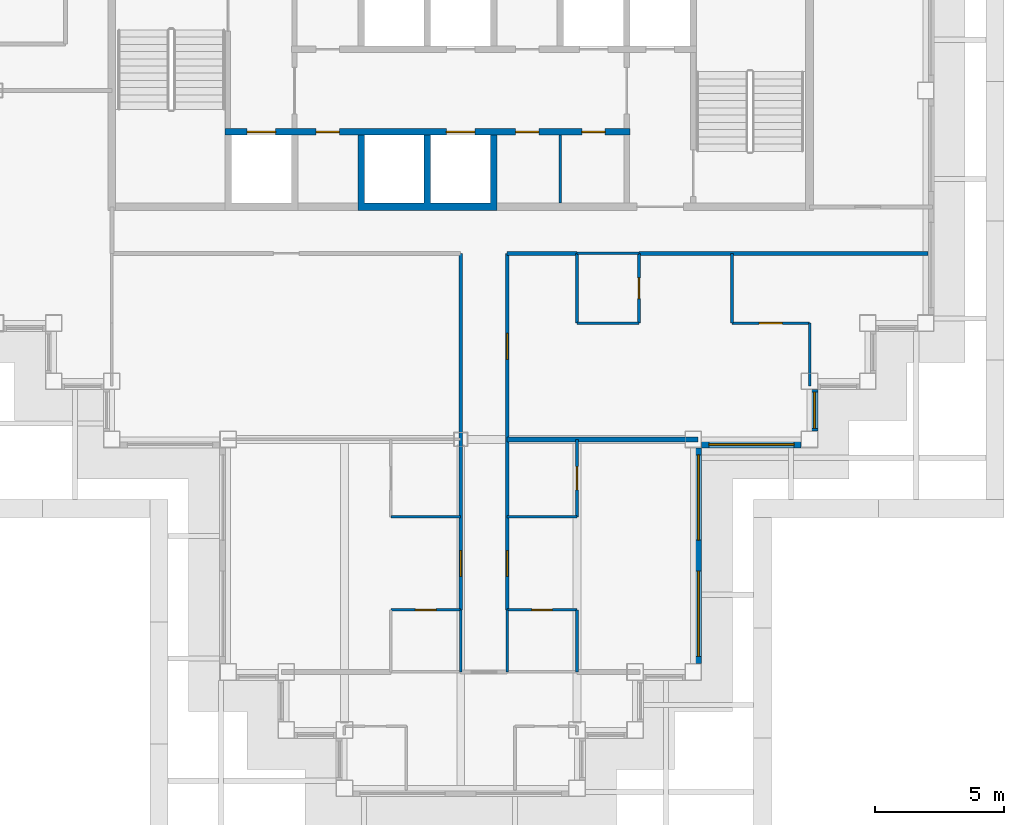
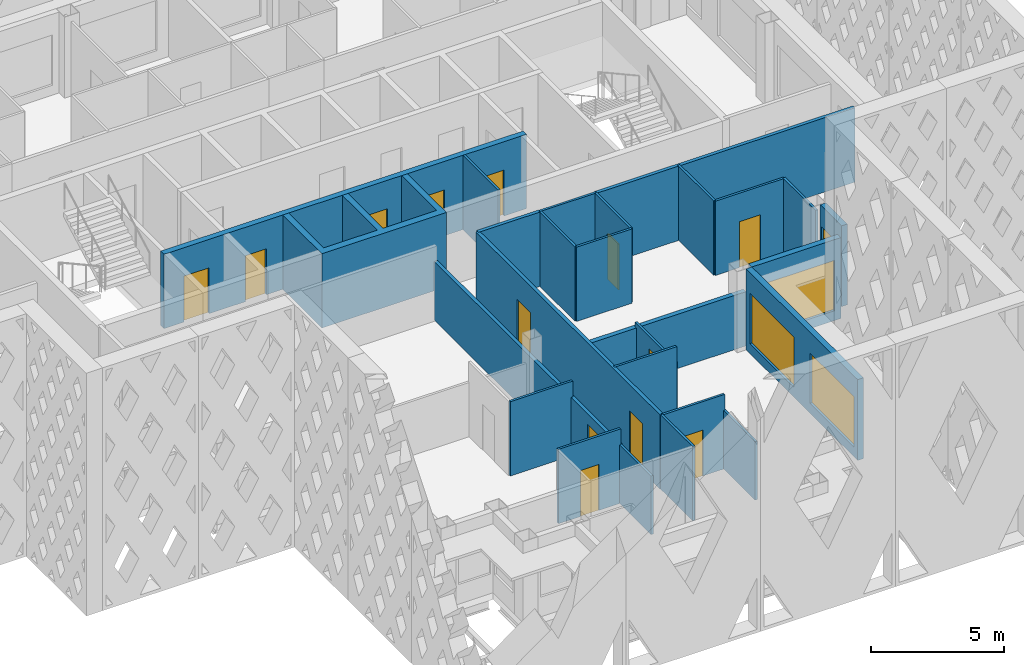
# One storey, part 4 of 17: 26 walls, 13 doors, 4 windows, 17 openings.
"""IFC4 building model written with IfcOpenShell, lengths in metres."""

from ifc_helpers import new_model, si_unit, direction, frame, frame_2d, origin, place, context, subcontext, project, spatial, polyline, rectangle, outline, extrude, material, layer, layer_set, type_object, element, fill, save


model = new_model("IFC4")

# Units and contexts
model_context = context("Model", 3, precision=1e-05, world=origin(), true_north=direction((0.0, 1.0)))
body_context = subcontext(model_context, "Body", "Model", "MODEL_VIEW")
ifc_project = project(units=[si_unit("LENGTHUNIT", "METRE"), si_unit("AREAUNIT", "SQUARE_METRE"), si_unit("VOLUMEUNIT", "CUBIC_METRE"), si_unit("PLANEANGLEUNIT", "RADIAN"), si_unit("MASSUNIT", "GRAM", prefix="KILO")], contexts=[model_context])

# Site, building, storey
site_placement = place(None, origin())
site = spatial("IfcSite", under=ifc_project, at=site_placement, CompositionType="ELEMENT")
building_placement = place(site_placement, origin())
building = spatial("IfcBuilding", under=site, at=building_placement, Name="Caravel Reach Hotel and Residences", CompositionType="ELEMENT")
storey_placement = place(building_placement, frame((0.0, 0.0, 222.0)))
storey = spatial("IfcBuildingStorey", under=building, at=storey_placement, Name="L56", CompositionType="ELEMENT", Elevation=222.0)

# Walls
ifc_material_1 = material(Name="Gypsum board on steel stud", Category="steel")
ifc_layer_1 = layer(ifc_material_1, 0.10009765625)
ifc_layer_set_1 = layer_set([ifc_layer_1], Name="Bathroom pod wall 100 mm")
wall_type_1 = type_object("IfcWallType", Name="Bathroom pod wall 100 mm", PredefinedType="PARTITIONING", material=ifc_layer_set_1)
for number, where, z_axis, x_axis, name in (
    (1, (36.0, 18.0, 0.0), (0.0, 0.0, 1.0), (1.0, 0.0, 0.0), "L56 wall w076"),
    (2, (36.0, 20.699951171875, 0.0), (0.0, 0.0, 1.0), (1.0, 0.0, 0.0), "L56 wall w078"),
):
    element("IfcWall", number, at=place(storey_placement, frame(where, z_axis=z_axis, x_axis=x_axis)), inside=storey, type_object=wall_type_1, Name=name, PredefinedType="PARTITIONING", context=body_context, shape_type="SweptSolid", body=[
        extrude(rectangle(XDim=2.39990234375, YDim=0.10009765625, at=frame_2d((1.199951171875, 0.0))), origin(), (0.0, 0.0, 1.0), 3.39990234375),
    ])

# Wall, opening, door
wall_1_placement = place(storey_placement, frame((33.300048828125, 6.89990234375, 0.0), z_axis=(0.0, 0.0, 1.0), x_axis=(1.0, 0.0, 0.0)))
wall_1 = element("IfcWall", 3, at=wall_1_placement, inside=storey, type_object=wall_type_1, Name="L56 wall w088", PredefinedType="PARTITIONING", context=body_context, shape_type="SweptSolid", body=[
    extrude(rectangle(XDim=2.699951171875, YDim=0.10009765625, at=frame_2d((1.35009765625, 0.0))), origin(), (0.0, 0.0, 1.0), 3.39990234375),
])
opening_1_placement = place(wall_1_placement, frame((0.949951171875, 0.0, 0.0)))
opening_1 = element("IfcOpeningElement", 4, at=opening_1_placement, cuts=wall_1, Name="Opening D56-041", PredefinedType="OPENING", context=body_context, shape_type="SweptSolid", body=[
    extrude(rectangle(XDim=0.800048828125, YDim=2.10009765625, at=frame_2d((0.39990234375, 1.050048828125))), frame((0.0, 0.06005859375, 0.0), z_axis=(0.0, -1.0, 0.0), x_axis=(1.0, 0.0, 0.0)), (0.0, 0.0, 1.0), 0.1201171875),
])
ifc_material_2 = material(Name="Timber and steel door leaf", Category="steel")
door_type_1 = type_object("IfcDoorType", Name="Bathroom door 800 x 2100", OperationType="SINGLE_SWING_LEFT", PredefinedType="DOOR", material=ifc_material_2)
door_1_placement = place(opening_1_placement, origin())
door_1 = element("IfcDoor", 5, at=door_1_placement, inside=storey, type_object=door_type_1, Name="door D56-041", OperationType="SINGLE_SWING_LEFT", OverallHeight=2.10009765625, OverallWidth=0.800048828125, PredefinedType="DOOR", context=body_context, shape_type="SweptSolid", body=[
    extrude(rectangle(XDim=0.800048828125, YDim=2.10009765625, at=frame_2d((0.39990234375, 1.050048828125))), frame((0.0, 0.02490234375, 0.0), z_axis=(0.0, -1.0, 0.0), x_axis=(1.0, 0.0, 0.0)), (0.0, 0.0, 1.0), 0.050048828125),
])
fill(opening_1, door_1)

wall_2_placement = place(storey_placement, frame((28.800048828125, 6.89990234375, 0.0), z_axis=(0.0, 0.0, 1.0), x_axis=(1.0, 0.0, 0.0)))
wall_2 = element("IfcWall", 6, at=wall_2_placement, inside=storey, type_object=wall_type_1, Name="L56 wall w089", PredefinedType="PARTITIONING", context=body_context, shape_type="SweptSolid", body=[
    extrude(rectangle(XDim=2.699951171875, YDim=0.10009765625, at=frame_2d((1.35009765625, 0.0))), origin(), (0.0, 0.0, 1.0), 3.39990234375),
])
opening_2_placement = place(wall_2_placement, frame((0.949951171875, 0.0, 0.0)))
opening_2 = element("IfcOpeningElement", 7, at=opening_2_placement, cuts=wall_2, Name="Opening D56-038", PredefinedType="OPENING", context=body_context, shape_type="SweptSolid", body=[
    extrude(rectangle(XDim=0.800048828125, YDim=2.10009765625, at=frame_2d((0.39990234375, 1.050048828125))), frame((0.0, 0.06005859375, 0.0), z_axis=(0.0, -1.0, 0.0), x_axis=(1.0, 0.0, 0.0)), (0.0, 0.0, 1.0), 0.1201171875),
])
door_2_placement = place(opening_2_placement, origin())
door_2 = element("IfcDoor", 8, at=door_2_placement, inside=storey, type_object=door_type_1, Name="door D56-038", OperationType="SINGLE_SWING_RIGHT", OverallHeight=2.10009765625, OverallWidth=0.800048828125, PredefinedType="DOOR", context=body_context, shape_type="SweptSolid", body=[
    extrude(rectangle(XDim=0.800048828125, YDim=2.10009765625, at=frame_2d((0.39990234375, 1.050048828125))), frame((0.0, 0.02490234375, 0.0), z_axis=(0.0, -1.0, 0.0), x_axis=(1.0, 0.0, 0.0)), (0.0, 0.0, 1.0), 0.050048828125),
])
fill(opening_2, door_2)

# Walls
wall_3_placement = place(storey_placement, frame((31.5, 4.5, 0.0), z_axis=(0.0, 0.0, 1.0), x_axis=(0.0, 1.0, 0.0)))
element("IfcWall", 9, at=wall_3_placement, inside=storey, type_object=wall_type_1, Name="L56 wall w096", PredefinedType="PARTITIONING", context=body_context, shape_type="SweptSolid", body=[
    extrude(rectangle(XDim=2.39990234375, YDim=0.10009765625, at=frame_2d((1.199951171875, 0.0))), origin(), (0.0, 0.0, 1.0), 2.679931640625),
])
wall_4_placement = place(storey_placement, frame((33.300048828125, 4.5, 0.0), z_axis=(0.0, 0.0, 1.0), x_axis=(0.0, 1.0, 0.0)))
element("IfcWall", 10, at=wall_4_placement, inside=storey, type_object=wall_type_1, Name="L56 wall w097", PredefinedType="PARTITIONING", context=body_context, shape_type="SweptSolid", body=[
    extrude(rectangle(XDim=2.39990234375, YDim=0.10009765625, at=frame_2d((1.199951171875, 0.0))), origin(), (0.0, 0.0, 1.0), 3.39990234375),
])
wall_5_placement = place(storey_placement, frame((36.0, 4.5, 0.0), z_axis=(0.0, 0.0, 1.0), x_axis=(0.0, 1.0, 0.0)))
element("IfcWall", 11, at=wall_5_placement, inside=storey, type_object=wall_type_1, Name="L56 wall w099", PredefinedType="PARTITIONING", context=body_context, shape_type="SweptSolid", body=[
    extrude(rectangle(XDim=2.39990234375, YDim=0.10009765625, at=frame_2d((1.199951171875, 0.0))), origin(), (0.0, 0.0, 1.0), 2.679931640625),
])
wall_6_placement = place(storey_placement, frame((36.0, 18.0, 0.0), z_axis=(0.0, 0.0, 1.0), x_axis=(0.0, 1.0, 0.0)))
element("IfcWall", 12, at=wall_6_placement, inside=storey, type_object=wall_type_1, Name="L56 wall w100", PredefinedType="PARTITIONING", context=body_context, shape_type="SweptSolid", body=[
    extrude(rectangle(XDim=2.698974609375, YDim=0.10009765625, at=frame_2d((1.349609375, 0.0))), origin(), (0.0, 0.0, 1.0), 3.39990234375),
])

# Wall, opening, door
wall_7_placement = place(storey_placement, frame((38.39990234375, 18.0, 0.0), z_axis=(0.0, 0.0, 1.0), x_axis=(0.0, 1.0, 0.0)))
wall_7 = element("IfcWall", 13, at=wall_7_placement, inside=storey, type_object=wall_type_1, Name="L56 wall w101", PredefinedType="PARTITIONING", context=body_context, shape_type="SweptSolid", body=[
    extrude(rectangle(XDim=2.699951171875, YDim=0.10009765625, at=frame_2d((1.35009765625, 0.0))), origin(), (0.0, 0.0, 1.0), 3.39990234375),
])
opening_3_placement = place(wall_7_placement, frame((0.949951171875, 0.0, 0.0)))
opening_3 = element("IfcOpeningElement", 14, at=opening_3_placement, cuts=wall_7, Name="Opening D56-035", PredefinedType="OPENING", context=body_context, shape_type="SweptSolid", body=[
    extrude(rectangle(XDim=0.800048828125, YDim=2.10009765625, at=frame_2d((0.39990234375, 1.050048828125))), frame((0.0, 0.06005859375, 0.0), z_axis=(0.0, -1.0, 0.0), x_axis=(1.0, 0.0, 0.0)), (0.0, 0.0, 1.0), 0.1201171875),
])
door_3_placement = place(opening_3_placement, origin())
door_3 = element("IfcDoor", 15, at=door_3_placement, inside=storey, type_object=door_type_1, Name="door D56-035", OperationType="SINGLE_SWING_RIGHT", OverallHeight=2.10009765625, OverallWidth=0.800048828125, PredefinedType="DOOR", context=body_context, shape_type="SweptSolid", body=[
    extrude(rectangle(XDim=0.800048828125, YDim=2.10009765625, at=frame_2d((0.39990234375, 1.050048828125))), frame((0.0, 0.02490234375, 0.0), z_axis=(0.0, -1.0, 0.0), x_axis=(1.0, 0.0, 0.0)), (0.0, 0.0, 1.0), 0.050048828125),
])
fill(opening_3, door_3)

# Walls
ifc_material_3 = material(Name="Gypsum board on steel stud, fire-rated", Category="steel")
ifc_layer_2 = layer(ifc_material_3, 0.14990234375)
ifc_layer_set_2 = layer_set([ifc_layer_2], Name="Corridor wall 150 mm EI 60")
wall_type_2 = type_object("IfcWallType", Name="Corridor wall 150 mm EI 60", PredefinedType="PARTITIONING", material=ifc_layer_set_2)
wall_8_placement = place(storey_placement, frame((33.301025390625, 20.699951171875, 0.0), z_axis=(0.0, 0.0, 1.0), x_axis=(1.0, 0.0, 0.0)))
element("IfcWall", 16, at=wall_8_placement, inside=storey, type_object=wall_type_2, Name="L56 wall w001", PredefinedType="PARTITIONING", context=body_context, shape_type="SweptSolid", body=[
    extrude(rectangle(XDim=2.697998046875, YDim=0.14990234375, at=frame_2d((1.34912109375, 0.0))), origin(), (0.0, 0.0, 1.0), 3.39990234375),
])
wall_9_placement = place(storey_placement, frame((38.39990234375, 20.699951171875, 0.0), z_axis=(0.0, 0.0, 1.0), x_axis=(1.0, 0.0, 0.0)))
element("IfcWall", 17, at=wall_9_placement, inside=storey, type_object=wall_type_2, Name="L56 wall w002", PredefinedType="PARTITIONING", context=body_context, shape_type="SweptSolid", body=[
    extrude(rectangle(XDim=11.175048828125, YDim=0.14990234375, at=frame_2d((5.58740234375, 0.0))), origin(), (0.0, 0.0, 1.0), 3.39990234375),
])

# Wall, opening, door
wall_10_placement = place(storey_placement, frame((31.5, 6.89990234375, 0.0), z_axis=(0.0, 0.0, 1.0), x_axis=(0.0, 1.0, 0.0)))
wall_10 = element("IfcWall", 18, at=wall_10_placement, inside=storey, type_object=wall_type_2, Name="L56 wall w021", PredefinedType="PARTITIONING", context=body_context, shape_type="SweptSolid", body=[
    extrude(rectangle(XDim=13.800048828125, YDim=0.14990234375, at=frame_2d((6.89990234375, 0.0))), origin(), (0.0, 0.0, 1.0), 2.679931640625),
])
opening_4_placement = place(wall_10_placement, frame((1.300048828125, 0.0, 0.0)))
opening_4 = element("IfcOpeningElement", 19, at=opening_4_placement, cuts=wall_10, Name="Opening D56-037", PredefinedType="OPENING", context=body_context, shape_type="SweptSolid", body=[
    extrude(rectangle(XDim=1.0, YDim=2.199951171875, at=frame_2d((0.5, 1.10009765625))), frame((0.0, 0.0849609375, 0.0), z_axis=(0.0, -1.0, 0.0), x_axis=(1.0, 0.0, 0.0)), (0.0, 0.0, 1.0), 0.169921875),
])
ifc_material_4 = material(Name="Steel fire door leaf", Category="steel")
door_type_2 = type_object("IfcDoorType", Name="Flat entrance door 1000 x 2200 EI 60", OperationType="SINGLE_SWING_LEFT", PredefinedType="DOOR", material=ifc_material_4)
door_4_placement = place(opening_4_placement, origin())
door_4 = element("IfcDoor", 20, at=door_4_placement, inside=storey, type_object=door_type_2, Name="door D56-037", OperationType="SINGLE_SWING_LEFT", OverallHeight=2.199951171875, OverallWidth=1.0, PredefinedType="DOOR", context=body_context, shape_type="SweptSolid", body=[
    extrude(rectangle(XDim=1.0, YDim=2.199951171875, at=frame_2d((0.5, 1.10009765625))), frame((0.0, 0.02490234375, 0.0), z_axis=(0.0, -1.0, 0.0), x_axis=(1.0, 0.0, 0.0)), (0.0, 0.0, 1.0), 0.050048828125),
])
fill(opening_4, door_4)

# Wall, openings, doors
wall_11_placement = place(storey_placement, frame((33.300048828125, 6.89990234375, 0.0), z_axis=(0.0, 0.0, 1.0), x_axis=(0.0, 1.0, 0.0)))
wall_11 = element("IfcWall", 21, at=wall_11_placement, inside=storey, type_object=wall_type_2, Name="L56 wall w024", PredefinedType="PARTITIONING", context=body_context, shape_type="SweptSolid", body=[
    extrude(rectangle(XDim=13.799072265625, YDim=0.14990234375, at=frame_2d((6.8994140625, 0.0))), origin(), (0.0, 0.0, 1.0), 3.39990234375),
])
opening_5_placement = place(wall_11_placement, frame((9.69921875, 0.0, 0.0)))
opening_5 = element("IfcOpeningElement", 22, at=opening_5_placement, cuts=wall_11, Name="Opening D56-034", PredefinedType="OPENING", context=body_context, shape_type="SweptSolid", body=[
    extrude(rectangle(XDim=1.0, YDim=2.199951171875, at=frame_2d((0.5, 1.10009765625))), frame((0.0, 0.0849609375, 0.0), z_axis=(0.0, -1.0, 0.0), x_axis=(1.0, 0.0, 0.0)), (0.0, 0.0, 1.0), 0.169921875),
])
opening_6_placement = place(wall_11_placement, frame((1.300048828125, 0.0, 0.0)))
opening_6 = element("IfcOpeningElement", 23, at=opening_6_placement, cuts=wall_11, Name="Opening D56-040", PredefinedType="OPENING", context=body_context, shape_type="SweptSolid", body=[
    extrude(rectangle(XDim=1.0, YDim=2.199951171875, at=frame_2d((0.5, 1.10009765625))), frame((0.0, 0.0849609375, 0.0), z_axis=(0.0, -1.0, 0.0), x_axis=(1.0, 0.0, 0.0)), (0.0, 0.0, 1.0), 0.169921875),
])
door_5_placement = place(opening_5_placement, origin())
door_5 = element("IfcDoor", 24, at=door_5_placement, inside=storey, type_object=door_type_2, Name="door D56-034", OperationType="SINGLE_SWING_LEFT", OverallHeight=2.199951171875, OverallWidth=1.0, PredefinedType="DOOR", context=body_context, shape_type="SweptSolid", body=[
    extrude(rectangle(XDim=1.0, YDim=2.199951171875, at=frame_2d((0.5, 1.10009765625))), frame((0.0, 0.02490234375, 0.0), z_axis=(0.0, -1.0, 0.0), x_axis=(1.0, 0.0, 0.0)), (0.0, 0.0, 1.0), 0.050048828125),
])
fill(opening_5, door_5)
door_6_placement = place(opening_6_placement, origin())
door_6 = element("IfcDoor", 25, at=door_6_placement, inside=storey, type_object=door_type_2, Name="door D56-040", OperationType="SINGLE_SWING_RIGHT", OverallHeight=2.199951171875, OverallWidth=1.0, PredefinedType="DOOR", context=body_context, shape_type="SweptSolid", body=[
    extrude(rectangle(XDim=1.0, YDim=2.199951171875, at=frame_2d((0.5, 1.10009765625))), frame((0.0, 0.02490234375, 0.0), z_axis=(0.0, -1.0, 0.0), x_axis=(1.0, 0.0, 0.0)), (0.0, 0.0, 1.0), 0.050048828125),
])
fill(opening_6, door_6)

# Wall, opening, window
ifc_material_5 = material(Name="Insulated rainscreen wall, aluminium cladding", Category="aluminium")
ifc_layer_3 = layer(ifc_material_5, 0.25)
ifc_layer_set_3 = layer_set([ifc_layer_3], Name="EW1 Tower rainscreen wall")
wall_type_3 = type_object("IfcWallType", Name="EW1 Tower rainscreen wall", PredefinedType="SOLIDWALL", material=ifc_layer_set_3)
wall_12_placement = place(storey_placement, frame((40.824951171875, 13.300048828125, 0.0), z_axis=(0.0, 0.0, 1.0), x_axis=(1.0, 0.0, 0.0)))
wall_12 = element("IfcWall", 26, at=wall_12_placement, inside=storey, type_object=wall_type_3, Name="External wall L56 S1.1", PredefinedType="SOLIDWALL", context=body_context, shape_type="SweptSolid", body=[
    extrude(rectangle(XDim=3.85009765625, YDim=0.25, at=frame_2d((1.925048828125, 0.0))), origin(), (0.0, 0.0, 1.0), 3.699951171875),
])
opening_7_placement = place(wall_12_placement, frame((0.27490234375, 0.0, 0.449951171875)))
opening_7 = element("IfcOpeningElement", 27, at=opening_7_placement, cuts=wall_12, Name="Opening WN15", PredefinedType="OPENING", context=body_context, shape_type="SweptSolid", body=[
    extrude(rectangle(XDim=3.300048828125, YDim=2.300048828125, at=frame_2d((1.64990234375, 1.14990234375))), frame((0.0, 0.135009765625, 0.0), z_axis=(0.0, -1.0, 0.0), x_axis=(1.0, 0.0, 0.0)), (0.0, 0.0, 1.0), 0.27001953125),
])
ifc_material_6 = material(Name="Dark low-e glazing in black aluminium frame", Category="aluminium")
window_type_1 = type_object("IfcWindowType", Name="Residence living window 3300 x 2300", PartitioningType="SINGLE_PANEL", PredefinedType="WINDOW", material=ifc_material_6)
window_1_placement = place(opening_7_placement, origin())
window_1 = element("IfcWindow", 28, at=window_1_placement, inside=storey, type_object=window_type_1, Name="Window L56 S1.1.1", OverallHeight=2.300048828125, OverallWidth=3.300048828125, PartitioningType="SINGLE_PANEL", PredefinedType="WINDOW", context=body_context, shape_type="SweptSolid", body=[
    extrude(rectangle(XDim=3.300048828125, YDim=2.300048828125, at=frame_2d((1.64990234375, 1.14990234375))), frame((0.0, 0.030029296875, 0.0), z_axis=(0.0, -1.0, 0.0), x_axis=(1.0, 0.0, 0.0)), (0.0, 0.0, 1.0), 0.06005859375),
])
fill(opening_7, window_1)

wall_13_placement = place(storey_placement, frame((45.199951171875, 13.824951171875, 0.0), z_axis=(0.0, 0.0, 1.0), x_axis=(0.0, 1.0, 0.0)))
wall_13 = element("IfcWall", 29, at=wall_13_placement, inside=storey, type_object=wall_type_3, Name="External wall L56 E2.1", PredefinedType="SOLIDWALL", context=body_context, shape_type="SweptSolid", body=[
    extrude(rectangle(XDim=1.60009765625, YDim=0.25, at=frame_2d((0.800048828125, 0.0))), origin(), (0.0, 0.0, 1.0), 3.699951171875),
])
opening_8_placement = place(wall_13_placement, frame((0.10009765625, 0.0, 0.89990234375)))
opening_8 = element("IfcOpeningElement", 30, at=opening_8_placement, cuts=wall_13, Name="Opening WN22", PredefinedType="OPENING", context=body_context, shape_type="SweptSolid", body=[
    extrude(rectangle(XDim=1.39990234375, YDim=1.85009765625, at=frame_2d((0.699951171875, 0.925048828125))), frame((0.0, 0.135009765625, 0.0), z_axis=(0.0, -1.0, 0.0), x_axis=(1.0, 0.0, 0.0)), (0.0, 0.0, 1.0), 0.27001953125),
])
ifc_material_7 = material(Name="Dark low-e glazing in black aluminium frame", Category="aluminium")
window_type_2 = type_object("IfcWindowType", Name="Residence bedroom window 1400 x 1850", PartitioningType="SINGLE_PANEL", PredefinedType="WINDOW", material=ifc_material_7)
window_2_placement = place(opening_8_placement, origin())
window_2 = element("IfcWindow", 31, at=window_2_placement, inside=storey, type_object=window_type_2, Name="Window L56 E2.1.1", OverallHeight=1.85009765625, OverallWidth=1.39990234375, PartitioningType="SINGLE_PANEL", PredefinedType="WINDOW", context=body_context, shape_type="SweptSolid", body=[
    extrude(rectangle(XDim=1.39990234375, YDim=1.85009765625, at=frame_2d((0.699951171875, 0.925048828125))), frame((0.0, 0.030029296875, 0.0), z_axis=(0.0, -1.0, 0.0), x_axis=(1.0, 0.0, 0.0)), (0.0, 0.0, 1.0), 0.06005859375),
])
fill(opening_8, window_2)

# Wall, openings, windows
wall_14_placement = place(storey_placement, frame((40.699951171875, 4.824951171875, 0.0), z_axis=(0.0, 0.0, 1.0), x_axis=(0.0, 1.0, 0.0)))
wall_14 = element("IfcWall", 32, at=wall_14_placement, inside=storey, type_object=wall_type_3, Name="External wall L56 E40.1", PredefinedType="SOLIDWALL", context=body_context, shape_type="SweptSolid", body=[
    extrude(rectangle(XDim=8.35009765625, YDim=0.25, at=frame_2d((4.175048828125, 0.0))), origin(), (0.0, 0.0, 1.0), 3.699951171875),
])
opening_9_placement = place(wall_14_placement, frame((0.27490234375, 0.0, 0.449951171875)))
opening_9 = element("IfcOpeningElement", 33, at=opening_9_placement, cuts=wall_14, Name="Opening WN15", PredefinedType="OPENING", context=body_context, shape_type="SweptSolid", body=[
    extrude(rectangle(XDim=3.300048828125, YDim=2.300048828125, at=frame_2d((1.64990234375, 1.14990234375))), frame((0.0, 0.135009765625, 0.0), z_axis=(0.0, -1.0, 0.0), x_axis=(1.0, 0.0, 0.0)), (0.0, 0.0, 1.0), 0.27001953125),
])
opening_10_placement = place(wall_14_placement, frame((4.77490234375, 0.0, 0.449951171875)))
opening_10 = element("IfcOpeningElement", 34, at=opening_10_placement, cuts=wall_14, Name="Opening WN15", PredefinedType="OPENING", context=body_context, shape_type="SweptSolid", body=[
    extrude(rectangle(XDim=3.300048828125, YDim=2.300048828125, at=frame_2d((1.64990234375, 1.14990234375))), frame((0.0, 0.135009765625, 0.0), z_axis=(0.0, -1.0, 0.0), x_axis=(1.0, 0.0, 0.0)), (0.0, 0.0, 1.0), 0.27001953125),
])
window_3_placement = place(opening_9_placement, origin())
window_3 = element("IfcWindow", 35, at=window_3_placement, inside=storey, type_object=window_type_1, Name="Window L56 E40.1.1", OverallHeight=2.300048828125, OverallWidth=3.300048828125, PartitioningType="SINGLE_PANEL", PredefinedType="WINDOW", context=body_context, shape_type="SweptSolid", body=[
    extrude(rectangle(XDim=3.300048828125, YDim=2.300048828125, at=frame_2d((1.64990234375, 1.14990234375))), frame((0.0, 0.030029296875, 0.0), z_axis=(0.0, -1.0, 0.0), x_axis=(1.0, 0.0, 0.0)), (0.0, 0.0, 1.0), 0.06005859375),
])
fill(opening_9, window_3)
window_4_placement = place(opening_10_placement, origin())
window_4 = element("IfcWindow", 36, at=window_4_placement, inside=storey, type_object=window_type_1, Name="Window L56 E40.1.2", OverallHeight=2.300048828125, OverallWidth=3.300048828125, PartitioningType="SINGLE_PANEL", PredefinedType="WINDOW", context=body_context, shape_type="SweptSolid", body=[
    extrude(rectangle(XDim=3.300048828125, YDim=2.300048828125, at=frame_2d((1.64990234375, 1.14990234375))), frame((0.0, 0.030029296875, 0.0), z_axis=(0.0, -1.0, 0.0), x_axis=(1.0, 0.0, 0.0)), (0.0, 0.0, 1.0), 0.06005859375),
])
fill(opening_10, window_4)

# Walls
ifc_material_8 = material(Name="Gypsum board on steel stud", Category="steel")
ifc_layer_4 = layer(ifc_material_8, 0.10009765625)
ifc_layer_set_4 = layer_set([ifc_layer_4], Name="Partition 100 mm")
wall_type_4 = type_object("IfcWallType", Name="Partition 100 mm", PredefinedType="PARTITIONING", material=ifc_layer_set_4)
wall_15_placement = place(storey_placement, frame((35.357177734375, 22.64990234375, 0.0), z_axis=(0.0, 0.0, 1.0), x_axis=(0.0, 1.0, 0.0)))
element("IfcWall", 37, at=wall_15_placement, inside=storey, type_object=wall_type_4, Name="L56 store partition", PredefinedType="PARTITIONING", context=body_context, shape_type="SweptSolid", body=[
    extrude(rectangle(XDim=2.625, YDim=0.10009765625, at=frame_2d((1.3125, 0.0))), origin(), (0.0, 0.0, 1.0), 3.39990234375),
])
for number, where, z_axis, x_axis, name in (
    (38, (33.300048828125, 10.5, 0.0), (0.0, 0.0, 1.0), (1.0, 0.0, 0.0), "L56 wall w029"),
    (39, (28.800048828125, 10.5, 0.0), (0.0, 0.0, 1.0), (1.0, 0.0, 0.0), "L56 wall w030"),
):
    element("IfcWall", number, at=place(storey_placement, frame(where, z_axis=z_axis, x_axis=x_axis)), inside=storey, type_object=wall_type_4, Name=name, PredefinedType="PARTITIONING", context=body_context, shape_type="SweptSolid", body=[
        extrude(rectangle(XDim=2.699951171875, YDim=0.10009765625, at=frame_2d((1.35009765625, 0.0))), origin(), (0.0, 0.0, 1.0), 3.39990234375),
    ])

# Wall, opening, door
wall_16_placement = place(storey_placement, frame((42.0, 18.0, 0.0), z_axis=(0.0, 0.0, 1.0), x_axis=(1.0, 0.0, 0.0)))
wall_16 = element("IfcWall", 40, at=wall_16_placement, inside=storey, type_object=wall_type_4, Name="L56 wall w033", PredefinedType="PARTITIONING", context=body_context, shape_type="SweptSolid", body=[
    extrude(rectangle(XDim=3.0, YDim=0.10009765625, at=frame_2d((1.5, 0.0))), origin(), (0.0, 0.0, 1.0), 3.39990234375),
])
opening_11_placement = place(wall_16_placement, frame((1.050048828125, 0.0, 0.0)))
opening_11 = element("IfcOpeningElement", 41, at=opening_11_placement, cuts=wall_16, Name="Opening D56-036", PredefinedType="OPENING", context=body_context, shape_type="SweptSolid", body=[
    extrude(rectangle(XDim=0.89990234375, YDim=2.10009765625, at=frame_2d((0.449951171875, 1.050048828125))), frame((0.0, 0.06005859375, 0.0), z_axis=(0.0, -1.0, 0.0), x_axis=(1.0, 0.0, 0.0)), (0.0, 0.0, 1.0), 0.1201171875),
])
ifc_material_9 = material(Name="Timber and steel door leaf", Category="steel")
door_type_3 = type_object("IfcDoorType", Name="Door 900 x 2100 timber", OperationType="SINGLE_SWING_LEFT", PredefinedType="DOOR", material=ifc_material_9)
door_7_placement = place(opening_11_placement, origin())
door_7 = element("IfcDoor", 42, at=door_7_placement, inside=storey, type_object=door_type_3, Name="door D56-036", OperationType="SINGLE_SWING_LEFT", OverallHeight=2.10009765625, OverallWidth=0.89990234375, PredefinedType="DOOR", context=body_context, shape_type="SweptSolid", body=[
    extrude(rectangle(XDim=0.89990234375, YDim=2.10009765625, at=frame_2d((0.449951171875, 1.050048828125))), frame((0.0, 0.02490234375, 0.0), z_axis=(0.0, -1.0, 0.0), x_axis=(1.0, 0.0, 0.0)), (0.0, 0.0, 1.0), 0.050048828125),
])
fill(opening_11, door_7)

wall_17_placement = place(storey_placement, frame((36.0, 10.5, 0.0), z_axis=(0.0, 0.0, 1.0), x_axis=(0.0, 1.0, 0.0)))
wall_17 = element("IfcWall", 43, at=wall_17_placement, inside=storey, type_object=wall_type_4, Name="L56 wall w058", PredefinedType="PARTITIONING", context=body_context, shape_type="SweptSolid", body=[
    extrude(rectangle(XDim=3.0, YDim=0.10009765625, at=frame_2d((1.5, 0.0))), origin(), (0.0, 0.0, 1.0), 2.679931640625),
])
opening_12_placement = place(wall_17_placement, frame((1.050048828125, 0.0, 0.0)))
opening_12 = element("IfcOpeningElement", 44, at=opening_12_placement, cuts=wall_17, Name="Opening D56-042", PredefinedType="OPENING", context=body_context, shape_type="SweptSolid", body=[
    extrude(rectangle(XDim=0.89990234375, YDim=2.10009765625, at=frame_2d((0.449951171875, 1.050048828125))), frame((0.0, 0.06005859375, 0.0), z_axis=(0.0, -1.0, 0.0), x_axis=(1.0, 0.0, 0.0)), (0.0, 0.0, 1.0), 0.1201171875),
])
door_8_placement = place(opening_12_placement, origin())
door_8 = element("IfcDoor", 45, at=door_8_placement, inside=storey, type_object=door_type_3, Name="door D56-042", OperationType="SINGLE_SWING_LEFT", OverallHeight=2.10009765625, OverallWidth=0.89990234375, PredefinedType="DOOR", context=body_context, shape_type="SweptSolid", body=[
    extrude(rectangle(XDim=0.89990234375, YDim=2.10009765625, at=frame_2d((0.449951171875, 1.050048828125))), frame((0.0, 0.02490234375, 0.0), z_axis=(0.0, -1.0, 0.0), x_axis=(1.0, 0.0, 0.0)), (0.0, 0.0, 1.0), 0.050048828125),
])
fill(opening_12, door_8)

# Walls
wall_18_placement = place(storey_placement, frame((42.0, 18.0, 0.0), z_axis=(0.0, 0.0, 1.0), x_axis=(0.0, 1.0, 0.0)))
element("IfcWall", 46, at=wall_18_placement, inside=storey, type_object=wall_type_4, Name="L56 wall w065", PredefinedType="PARTITIONING", context=body_context, shape_type="SweptSolid", body=[
    extrude(rectangle(XDim=2.699951171875, YDim=0.10009765625, at=frame_2d((1.35009765625, 0.0))), origin(), (0.0, 0.0, 1.0), 3.39990234375),
])
wall_19_placement = place(storey_placement, frame((45.0, 15.56005859375, 0.0), z_axis=(0.0, 0.0, 1.0), x_axis=(0.0, 1.0, 0.0)))
element("IfcWall", 47, at=wall_19_placement, inside=storey, type_object=wall_type_4, Name="L56 wall w066", PredefinedType="PARTITIONING", context=body_context, shape_type="SweptSolid", body=[
    extrude(rectangle(XDim=2.43994140625, YDim=0.10009765625, at=frame_2d((1.219970703125, 0.0))), origin(), (0.0, 0.0, 1.0), 3.39990234375),
])
ifc_material_10 = material(Name="Autoclaved aerated block wall")
ifc_layer_5 = layer(ifc_material_10, 0.199951171875)
ifc_layer_set_5 = layer_set([ifc_layer_5], Name="Party wall 200 mm EI 60")
wall_type_5 = type_object("IfcWallType", Name="Party wall 200 mm EI 60", PredefinedType="PARTITIONING", material=ifc_layer_set_5)
wall_20_placement = place(storey_placement, frame((33.301025390625, 13.5, 0.0), z_axis=(0.0, 0.0, 1.0), x_axis=(1.0, 0.0, 0.0)))
element("IfcWall", 48, at=wall_20_placement, inside=storey, type_object=wall_type_5, Name="L56 wall w069", PredefinedType="PARTITIONING", context=body_context, shape_type="SweptSolid", body=[
    extrude(rectangle(XDim=7.388916015625, YDim=0.199951171875, at=frame_2d((3.6943359375, 0.0))), origin(), (0.0, 0.0, 1.0), 2.47998046875),
])
ifc_material_11 = material(Name="Concrete C60", Category="concrete")
ifc_layer_6 = layer(ifc_material_11, 0.25)
ifc_layer_set_6 = layer_set([ifc_layer_6], Name="Shaft wall 250 mm EI 120")
wall_type_6 = type_object("IfcWallType", Name="Shaft wall 250 mm EI 120", PredefinedType="SHEAR", material=ifc_layer_set_6)
wall_21_placement = place(storey_placement, origin())
element("IfcWall", 49, at=wall_21_placement, inside=storey, type_object=wall_type_6, Name="L56 lift shaft wall S2", PredefinedType="SHEAR", context=body_context, shape_type="SweptSolid", body=[
    extrude(outline(polyline([(27.517822265625, 22.35009765625), (32.91064453125, 22.35009765625), (32.91064453125, 25.27490234375), (32.66064453125, 25.27490234375), (32.66064453125, 22.64990234375), (30.33935546875, 22.64990234375), (30.33935546875, 25.27490234375), (30.08935546875, 25.27490234375), (30.08935546875, 22.64990234375), (27.767822265625, 22.64990234375), (27.767822265625, 25.27490234375), (27.517822265625, 25.27490234375), (27.517822265625, 22.35009765625)])), origin(), (0.0, 0.0, 1.0), 3.39990234375),
])

# Wall, openings, doors
wall_22_placement = place(storey_placement, frame((22.375, 25.39990234375, 0.0), z_axis=(0.0, 0.0, 1.0), x_axis=(1.0, 0.0, 0.0)))
wall_22 = element("IfcWall", 50, at=wall_22_placement, inside=storey, type_object=wall_type_6, Name="L56 lobby wall S1", PredefinedType="SHEAR", context=body_context, shape_type="SweptSolid", body=[
    extrude(rectangle(XDim=15.678466796875, YDim=0.25, at=frame_2d((7.83935546875, 0.0))), origin(), (0.0, 0.0, 1.0), 3.39990234375),
])
opening_13_placement = place(wall_22_placement, frame((8.574951171875, 0.0, 0.0)))
opening_13 = element("IfcOpeningElement", 51, at=opening_13_placement, cuts=wall_22, Name="Opening D56-001", PredefinedType="OPENING", context=body_context, shape_type="SweptSolid", body=[
    extrude(rectangle(XDim=1.10009765625, YDim=2.10009765625, at=frame_2d((0.550048828125, 1.050048828125))), frame((0.0, 0.135009765625, 0.0), z_axis=(0.0, -1.0, 0.0), x_axis=(1.0, 0.0, 0.0)), (0.0, 0.0, 1.0), 0.27001953125),
])
opening_14_placement = place(wall_22_placement, frame((0.860595703125, 0.0, 0.0)))
opening_14 = element("IfcOpeningElement", 52, at=opening_14_placement, cuts=wall_22, Name="Opening D56-004", PredefinedType="OPENING", context=body_context, shape_type="SweptSolid", body=[
    extrude(rectangle(XDim=1.10009765625, YDim=2.10009765625, at=frame_2d((0.550048828125, 1.050048828125))), frame((0.0, 0.135009765625, 0.0), z_axis=(0.0, -1.0, 0.0), x_axis=(1.0, 0.0, 0.0)), (0.0, 0.0, 1.0), 0.27001953125),
])
opening_15_placement = place(wall_22_placement, frame((3.531982421875, 0.0, 0.0)))
opening_15 = element("IfcOpeningElement", 53, at=opening_15_placement, cuts=wall_22, Name="Opening D56-006", PredefinedType="OPENING", context=body_context, shape_type="SweptSolid", body=[
    extrude(rectangle(XDim=0.89990234375, YDim=2.10009765625, at=frame_2d((0.449951171875, 1.050048828125))), frame((0.0, 0.135009765625, 0.0), z_axis=(0.0, -1.0, 0.0), x_axis=(1.0, 0.0, 0.0)), (0.0, 0.0, 1.0), 0.27001953125),
])
opening_16_placement = place(wall_22_placement, frame((11.246337890625, 0.0, 0.0)))
opening_16 = element("IfcOpeningElement", 54, at=opening_16_placement, cuts=wall_22, Name="Opening D56-007", PredefinedType="OPENING", context=body_context, shape_type="SweptSolid", body=[
    extrude(rectangle(XDim=0.89990234375, YDim=2.10009765625, at=frame_2d((0.449951171875, 1.050048828125))), frame((0.0, 0.135009765625, 0.0), z_axis=(0.0, -1.0, 0.0), x_axis=(1.0, 0.0, 0.0)), (0.0, 0.0, 1.0), 0.27001953125),
])
opening_17_placement = place(wall_22_placement, frame((13.81787109375, 0.0, 0.0)))
opening_17 = element("IfcOpeningElement", 55, at=opening_17_placement, cuts=wall_22, Name="Opening D56-008", PredefinedType="OPENING", context=body_context, shape_type="SweptSolid", body=[
    extrude(rectangle(XDim=0.89990234375, YDim=2.10009765625, at=frame_2d((0.449951171875, 1.050048828125))), frame((0.0, 0.135009765625, 0.0), z_axis=(0.0, -1.0, 0.0), x_axis=(1.0, 0.0, 0.0)), (0.0, 0.0, 1.0), 0.27001953125),
])
ifc_material_12 = material(Name="Stainless steel landing door", Category="steel")
door_type_4 = type_object("IfcDoorType", Name="Landing door LD 1100 x 2100 sliding", OperationType="DOUBLE_DOOR_SLIDING", PredefinedType="DOOR", material=ifc_material_12)
door_9_placement = place(opening_13_placement, origin())
door_9 = element("IfcDoor", 56, at=door_9_placement, inside=storey, type_object=door_type_4, Name="MP1 landing door", OperationType="DOUBLE_DOOR_SLIDING", OverallHeight=2.10009765625, OverallWidth=1.10009765625, PredefinedType="DOOR", context=body_context, shape_type="SweptSolid", body=[
    extrude(rectangle(XDim=1.10009765625, YDim=2.10009765625, at=frame_2d((0.550048828125, 1.050048828125))), frame((0.0, 0.02490234375, 0.0), z_axis=(0.0, -1.0, 0.0), x_axis=(1.0, 0.0, 0.0)), (0.0, 0.0, 1.0), 0.050048828125),
])
fill(opening_13, door_9)
door_10_placement = place(opening_14_placement, origin())
door_10 = element("IfcDoor", 57, at=door_10_placement, inside=storey, type_object=door_type_4, Name="FL1 landing door", OperationType="DOUBLE_DOOR_SLIDING", OverallHeight=2.10009765625, OverallWidth=1.10009765625, PredefinedType="DOOR", context=body_context, shape_type="SweptSolid", body=[
    extrude(rectangle(XDim=1.10009765625, YDim=2.10009765625, at=frame_2d((0.550048828125, 1.050048828125))), frame((0.0, 0.02490234375, 0.0), z_axis=(0.0, -1.0, 0.0), x_axis=(1.0, 0.0, 0.0)), (0.0, 0.0, 1.0), 0.050048828125),
])
fill(opening_14, door_10)
ifc_material_13 = material(Name="Steel fire door leaf", Category="steel")
door_type_5 = type_object("IfcDoorType", Name="Riser door 900 x 2100 EI 60", OperationType="SINGLE_SWING_LEFT", PredefinedType="DOOR", material=ifc_material_13)
door_11_placement = place(opening_15_placement, origin())
door_11 = element("IfcDoor", 58, at=door_11_placement, inside=storey, type_object=door_type_5, Name="Linen store door", OperationType="SINGLE_SWING_LEFT", OverallHeight=2.10009765625, OverallWidth=0.89990234375, PredefinedType="DOOR", context=body_context, shape_type="SweptSolid", body=[
    extrude(rectangle(XDim=0.89990234375, YDim=2.10009765625, at=frame_2d((0.449951171875, 1.050048828125))), frame((0.0, 0.02490234375, 0.0), z_axis=(0.0, -1.0, 0.0), x_axis=(1.0, 0.0, 0.0)), (0.0, 0.0, 1.0), 0.050048828125),
])
fill(opening_15, door_11)
door_12_placement = place(opening_16_placement, origin())
door_12 = element("IfcDoor", 59, at=door_12_placement, inside=storey, type_object=door_type_5, Name="Cleaners' room door", OperationType="SINGLE_SWING_LEFT", OverallHeight=2.10009765625, OverallWidth=0.89990234375, PredefinedType="DOOR", context=body_context, shape_type="SweptSolid", body=[
    extrude(rectangle(XDim=0.89990234375, YDim=2.10009765625, at=frame_2d((0.449951171875, 1.050048828125))), frame((0.0, 0.02490234375, 0.0), z_axis=(0.0, -1.0, 0.0), x_axis=(1.0, 0.0, 0.0)), (0.0, 0.0, 1.0), 0.050048828125),
])
fill(opening_16, door_12)
door_13_placement = place(opening_17_placement, origin())
door_13 = element("IfcDoor", 60, at=door_13_placement, inside=storey, type_object=door_type_5, Name="Electrical riser room door", OperationType="SINGLE_SWING_LEFT", OverallHeight=2.10009765625, OverallWidth=0.89990234375, PredefinedType="DOOR", context=body_context, shape_type="SweptSolid", body=[
    extrude(rectangle(XDim=0.89990234375, YDim=2.10009765625, at=frame_2d((0.449951171875, 1.050048828125))), frame((0.0, 0.02490234375, 0.0), z_axis=(0.0, -1.0, 0.0), x_axis=(1.0, 0.0, 0.0)), (0.0, 0.0, 1.0), 0.050048828125),
])
fill(opening_17, door_13)

save(model, "model.ifc")
